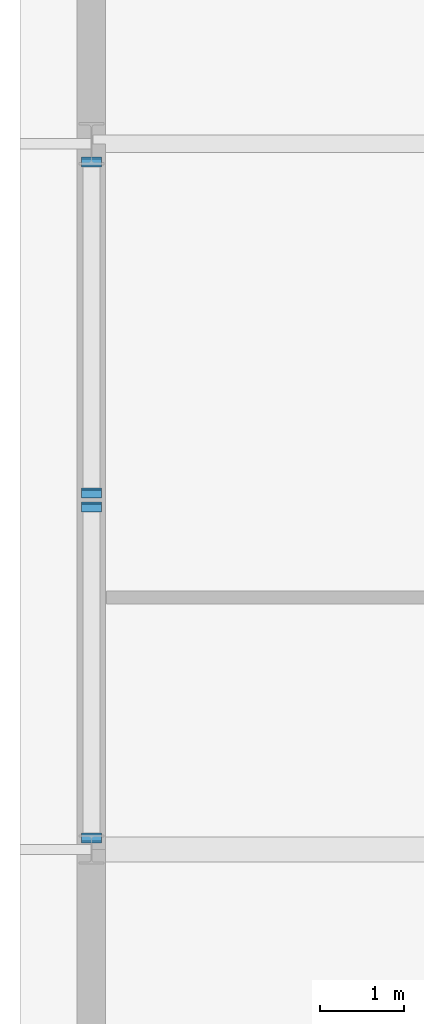
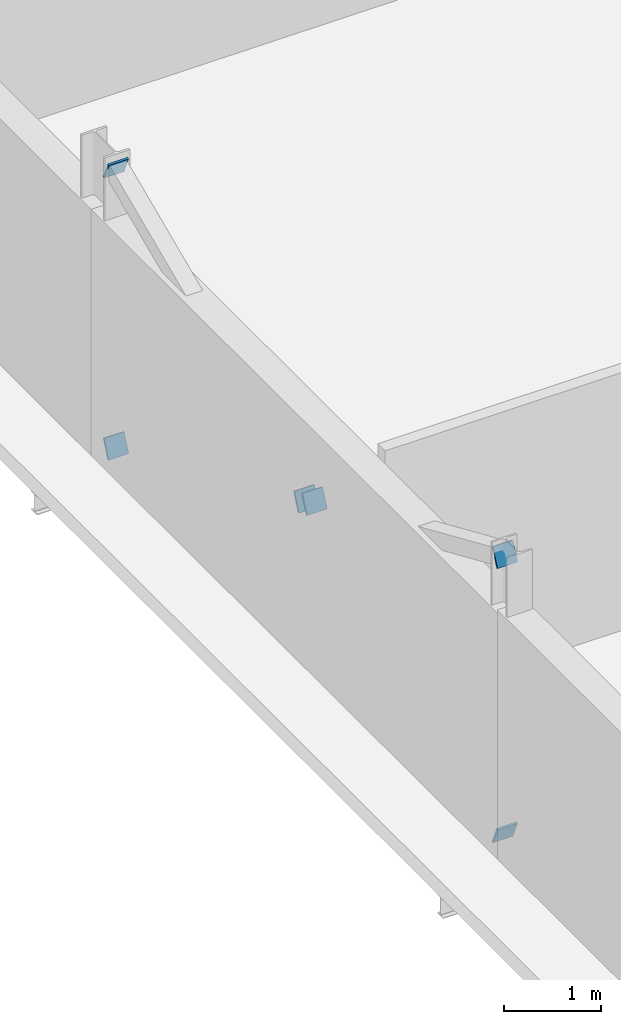
# One storey, part 17 of 30: 6 plates.
"""IFC4 building model written with IfcOpenShell, lengths in metres."""

from ifc_helpers import new_model, si_unit, direction, frame, origin, origin_2d, place, context, subcontext, project, spatial, rectangle, extrude, material, material_profile, profile_set, type_object, element, save


model = new_model("IFC4")

# Units and contexts
model_context = context("Model", 3, precision=1e-05, world=origin(), true_north=direction((0.0, 1.0)))
body_context = subcontext(model_context, "Body", "Model", "MODEL_VIEW")
ifc_project = project(units=[si_unit("LENGTHUNIT", "METRE"), si_unit("AREAUNIT", "SQUARE_METRE"), si_unit("VOLUMEUNIT", "CUBIC_METRE"), si_unit("PLANEANGLEUNIT", "RADIAN"), si_unit("MASSUNIT", "GRAM", prefix="KILO")], contexts=[model_context])

# Site, building, storey
site_placement = place(None, origin())
site = spatial("IfcSite", under=ifc_project, at=site_placement, CompositionType="ELEMENT")
building_placement = place(site_placement, origin())
building = spatial("IfcBuilding", under=site, at=building_placement, Name="Vinh Khe Railworks Police Headquarters", CompositionType="ELEMENT")
storey_placement = place(building_placement, frame((0.0, 0.0, 21.0)))
storey = spatial("IfcBuildingStorey", under=building, at=storey_placement, Name="L05", CompositionType="ELEMENT", Elevation=21.0)

# Plates
ifc_material = material(Name="Steel S355JR", Category="steel")
ifc_material_profile = material_profile(ifc_material, rectangle(XDim=0.239990234375, YDim=0.239990234375, at=origin_2d()), Name="PL 240x240")
ifc_profile_set = profile_set([ifc_material_profile], Name="Steel S355JR")
plate_type = type_object("IfcPlateType", Name="Steel End-Cap Plate 240x240x24", PredefinedType="SHEET", material=ifc_profile_set)
for number, where, z_axis, x_axis, name in (
    (1, (0.60009765625, 96.14990234375, 0.199951171875), (0.0, -0.91755562531, -0.397607437634), (1.0, 0.0, 0.0), "End-Cap Gusset Plate PLT-EP-0051"),
    (2, (0.60009765625, 96.14990234375, 3.699951171875), (0.0, -0.91381154862, 0.406138466053), (1.0, 0.0, 0.0), "End-Cap Gusset Plate PLT-EP-0052"),
    (3, (0.60009765625, 100.064697265625, 1.99169921875), (0.0, 0.91381154862, -0.406138466053), (-1.0, 0.0, 0.0), "End-Cap Gusset Plate PLT-EP-0066"),
    (4, (0.60009765625, 100.25537109375, 1.908447265625), (0.0, -0.91755562531, 0.397607437634), (1.0, 0.0, 0.0), "End-Cap Gusset Plate PLT-EP-0074"),
    (5, (0.60009765625, 104.169921875, 0.199951171875), (0.0, 0.91755562531, -0.397607437634), (-1.0, 0.0, 0.0), "End-Cap Gusset Plate PLT-EP-0087"),
    (6, (0.60009765625, 104.169921875, 3.699951171875), (0.0, 0.91381154862, 0.406138466053), (-1.0, 0.0, 0.0), "End-Cap Gusset Plate PLT-EP-0088"),
):
    element("IfcPlate", number, at=place(storey_placement, frame(where, z_axis=z_axis, x_axis=x_axis)), inside=storey, type_object=plate_type, Name=name, PredefinedType="SHEET", context=body_context, shape_type="SweptSolid", body=[
        extrude(rectangle(XDim=0.239990234375, YDim=0.239990234375, at=origin_2d()), origin(), (0.0, 0.0, 1.0), 0.02392578125),
    ])

save(model, "model.ifc")
